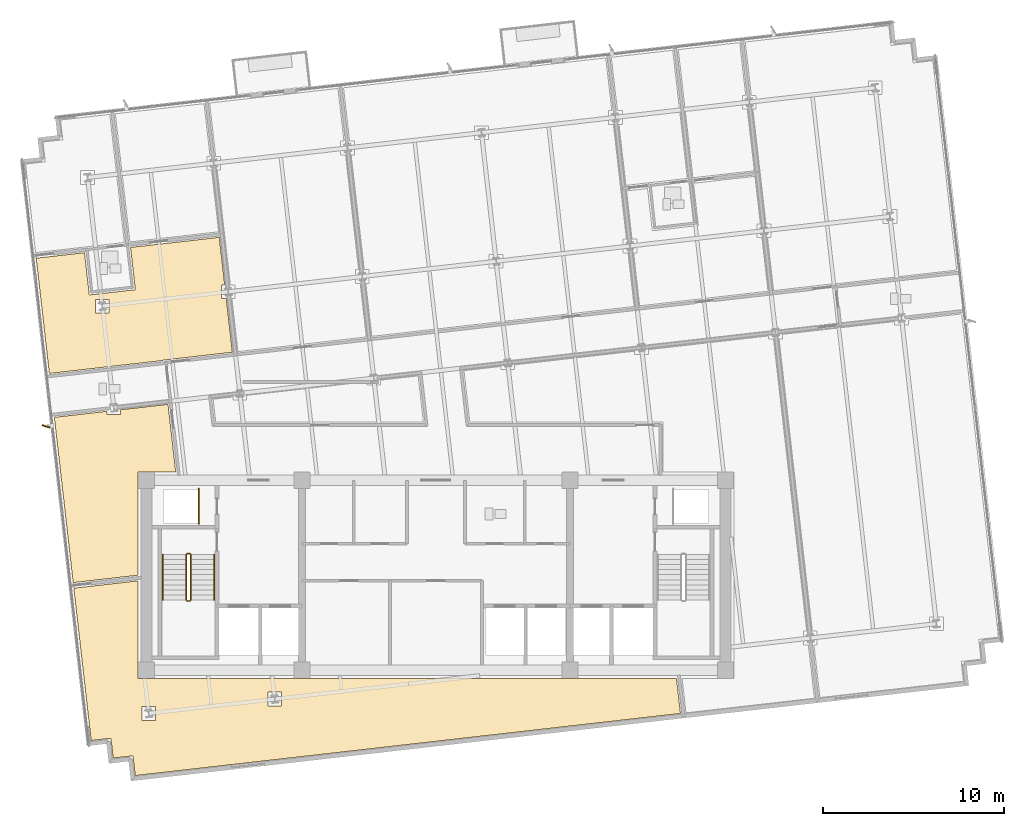
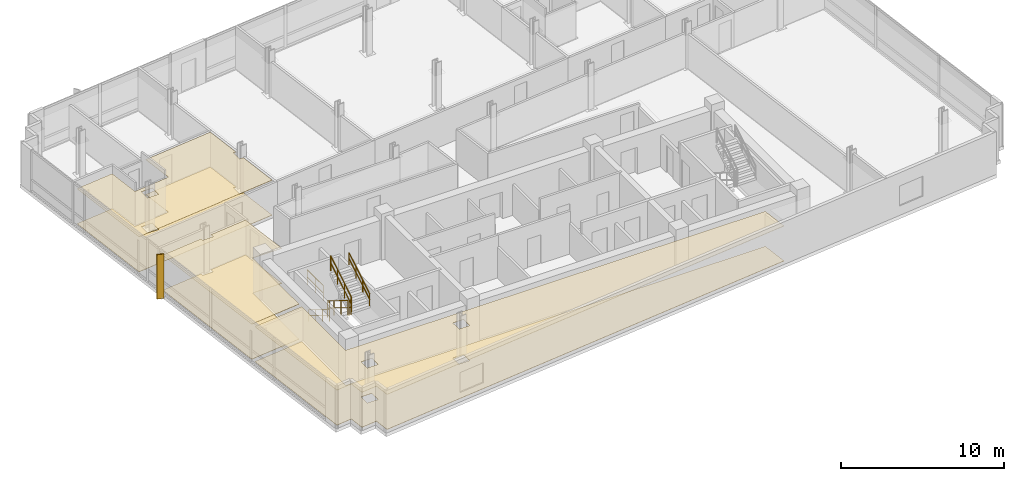
# One storey, part 12 of 15: 7 railings, 6 coverings, 1 shading device.
"""IFC4 building model written with IfcOpenShell, lengths in metres."""

from ifc_helpers import new_model, si_unit, direction, frame, origin, origin_2d, place, context, subcontext, project, spatial, polyline, rectangle, circle, outline, extrude, material, layer, layer_set, type_object, element, save


model = new_model("IFC4")

# Units and contexts
model_context = context("Model", 3, precision=1e-05, world=origin(), true_north=direction((0.0, 1.0)))
body_context = subcontext(model_context, "Body", "Model", "MODEL_VIEW")
ifc_project = project(units=[si_unit("LENGTHUNIT", "METRE"), si_unit("AREAUNIT", "SQUARE_METRE"), si_unit("VOLUMEUNIT", "CUBIC_METRE"), si_unit("PLANEANGLEUNIT", "RADIAN"), si_unit("MASSUNIT", "GRAM", prefix="KILO")], contexts=[model_context])

# Site, building, storey
site_placement = place(None, origin())
site = spatial("IfcSite", under=ifc_project, at=site_placement, CompositionType="ELEMENT")
building_placement = place(site_placement, origin())
building = spatial("IfcBuilding", under=site, at=building_placement, Name="Solmavex Isthmus Hotel", CompositionType="ELEMENT")
storey_placement = place(building_placement, frame((0.0, 0.0, 229.64990234375)))
storey = spatial("IfcBuildingStorey", under=building, at=storey_placement, Name="L62", CompositionType="ELEMENT", Elevation=229.64990234375)

# Coverings
ifc_material_1 = material(Name="Gypsum plasterboard lining", Category="gypsum")
ifc_layer_1 = layer(ifc_material_1, 0.030029296875)
ifc_layer_set_1 = layer_set([ifc_layer_1], Name="Gypsum plasterboard lining")
covering_type_1 = type_object("IfcCoveringType", Name="COV-CEIL-GYP", PredefinedType="CEILING", material=ifc_layer_set_1)
covering_1_placement = place(storey_placement, frame((0.0, 0.0, 2.6201171875)))
element("IfcCovering", 1, at=covering_1_placement, inside=storey, type_object=covering_type_1, Name="Suspended Acoustic Ceiling L62-ST01-FY", PredefinedType="CEILING", context=body_context, shape_type="SweptSolid", body=[
    extrude(outline(polyline([(-15.079833984375, 4.11669921875), (-15.08203125, 4.136474609375), (-11.2490234375, 4.5732421875), (-11.586181640625, 7.532470703125), (-11.853271484375, 7.532470703125), (-11.853271484375, 8.29248046875), (-11.672607421875, 8.29248046875), (-11.97216796875, 10.920166015625), (-16.874267578125, 10.36181640625), (-16.6083984375, 8.02685546875), (-19.15185546875, 7.737060546875), (-19.41796875, 10.072021484375), (-22.084716796875, 9.76806640625), (-21.359130859375, 3.4013671875), (-15.079833984375, 4.11669921875)]), holes=[polyline([(-18.81640625, 6.739013671875), (-18.81640625, 7.4990234375), (-18.056396484375, 7.4990234375), (-18.056396484375, 6.739013671875), (-18.81640625, 6.739013671875)])]), origin(), (0.0, 0.0, 1.0), 0.030029296875),
])
covering_2_placement = place(storey_placement, frame((0.0, 0.0, 2.6201171875)))
element("IfcCovering", 2, at=covering_2_placement, inside=storey, type_object=covering_type_1, Name="Suspended Acoustic Ceiling L62-FL09", PredefinedType="CEILING", context=body_context, shape_type="SweptSolid", body=[
    extrude(outline(polyline([(-17.4169921875, 1.39453125), (-17.4169921875, 1.12744140625), (-18.177001953125, 1.12744140625), (-18.177001953125, 1.30810546875), (-21.0830078125, 0.97705078125), (-20.494873046875, -4.1845703125), (-20.042724609375, -8.154052734375), (-16.455078125, -7.7451171875), (-16.455078125, -2.044921875), (-14.3779296875, -2.044921875), (-14.8037109375, 1.6923828125), (-17.4169921875, 1.39453125)])), origin(), (0.0, 0.0, 1.0), 0.030029296875),
])
covering_3_placement = place(storey_placement, frame((0.0, 0.0, 2.6201171875)))
element("IfcCovering", 3, at=covering_3_placement, inside=storey, type_object=covering_type_1, Name="Suspended Acoustic Ceiling L62-FL10", PredefinedType="CEILING", context=body_context, shape_type="SweptSolid", body=[
    extrude(outline(polyline([(-8.533203125, -17.8935546875), (13.50732421875, -15.382568359375), (13.470458984375, -15.0595703125), (13.28759765625, -13.455078125), (-16.455078125, -13.455078125), (-16.455078125, -8.05712890625), (-20.007568359375, -8.4619140625), (-19.14208984375, -16.057861328125), (-19.048828125, -16.87744140625), (-17.955810546875, -16.7529296875), (-17.831298828125, -17.845947265625), (-16.73828125, -17.721435546875), (-16.61376953125, -18.814453125), (-15.794189453125, -18.720947265625), (-8.533203125, -17.8935546875)]), holes=[polyline([(-9.28955078125, -14.969970703125), (-9.28955078125, -14.2099609375), (-8.529541015625, -14.2099609375), (-8.529541015625, -14.969970703125), (-9.28955078125, -14.969970703125)]), polyline([(-16.25244140625, -15.763427734375), (-16.25244140625, -15.00341796875), (-15.492431640625, -15.00341796875), (-15.492431640625, -15.763427734375), (-16.25244140625, -15.763427734375)])]), origin(), (0.0, 0.0, 1.0), 0.030029296875),
])
ifc_material_2 = material(Name="Travertine natural stone", Category="masonry")
ifc_layer_2 = layer(ifc_material_2, 0.02490234375)
ifc_layer_set_2 = layer_set([ifc_layer_2], Name="Travertine natural stone")
covering_type_2 = type_object("IfcCoveringType", Name="COV-FLOR-STN", PredefinedType="FLOORING", material=ifc_layer_set_2)
covering_4_placement = place(storey_placement, origin())
element("IfcCovering", 4, at=covering_4_placement, inside=storey, type_object=covering_type_2, Name="Stone and Timber Floor Finish L62-ST01-FY", PredefinedType="FLOORING", context=body_context, shape_type="SweptSolid", body=[
    extrude(outline(polyline([(-15.079833984375, 4.11669921875), (-15.08203125, 4.136474609375), (-11.2490234375, 4.5732421875), (-11.586181640625, 7.532470703125), (-11.853271484375, 7.532470703125), (-11.853271484375, 8.29248046875), (-11.672607421875, 8.29248046875), (-11.97216796875, 10.920166015625), (-16.874267578125, 10.36181640625), (-16.6083984375, 8.02685546875), (-19.15185546875, 7.737060546875), (-19.41796875, 10.072021484375), (-22.084716796875, 9.76806640625), (-21.359130859375, 3.4013671875), (-15.079833984375, 4.11669921875)]), holes=[polyline([(-18.81640625, 6.739013671875), (-18.81640625, 7.4990234375), (-18.056396484375, 7.4990234375), (-18.056396484375, 6.739013671875), (-18.81640625, 6.739013671875)])]), origin(), (0.0, 0.0, 1.0), 0.025146484375),
])
covering_5_placement = place(storey_placement, origin())
element("IfcCovering", 5, at=covering_5_placement, inside=storey, type_object=covering_type_2, Name="Stone and Timber Floor Finish L62-FL09", PredefinedType="FLOORING", context=body_context, shape_type="SweptSolid", body=[
    extrude(outline(polyline([(-17.4169921875, 1.39453125), (-17.4169921875, 1.12744140625), (-18.177001953125, 1.12744140625), (-18.177001953125, 1.30810546875), (-21.0830078125, 0.97705078125), (-20.494873046875, -4.1845703125), (-20.042724609375, -8.154052734375), (-16.455078125, -7.7451171875), (-16.455078125, -2.044921875), (-14.3779296875, -2.044921875), (-14.8037109375, 1.6923828125), (-17.4169921875, 1.39453125)])), origin(), (0.0, 0.0, 1.0), 0.025146484375),
])
covering_6_placement = place(storey_placement, origin())
element("IfcCovering", 6, at=covering_6_placement, inside=storey, type_object=covering_type_2, Name="Stone and Timber Floor Finish L62-FL10", PredefinedType="FLOORING", context=body_context, shape_type="SweptSolid", body=[
    extrude(outline(polyline([(-8.533203125, -17.8935546875), (13.50732421875, -15.382568359375), (13.470458984375, -15.0595703125), (13.28759765625, -13.455078125), (-16.455078125, -13.455078125), (-16.455078125, -8.05712890625), (-20.007568359375, -8.4619140625), (-19.14208984375, -16.057861328125), (-19.048828125, -16.87744140625), (-17.955810546875, -16.7529296875), (-17.831298828125, -17.845947265625), (-16.73828125, -17.721435546875), (-16.61376953125, -18.814453125), (-15.794189453125, -18.720947265625), (-8.533203125, -17.8935546875)]), holes=[polyline([(-9.28955078125, -14.969970703125), (-9.28955078125, -14.2099609375), (-8.529541015625, -14.2099609375), (-8.529541015625, -14.969970703125), (-9.28955078125, -14.969970703125)]), polyline([(-16.25244140625, -15.763427734375), (-16.25244140625, -15.00341796875), (-15.492431640625, -15.00341796875), (-15.492431640625, -15.763427734375), (-16.25244140625, -15.763427734375)])]), origin(), (0.0, 0.0, 1.0), 0.025146484375),
])

# Railings
ifc_material_3 = material(Name="Clear low-E laminated glass", Category="glass")
ifc_layer_3 = layer(ifc_material_3, 0.080078125)
ifc_layer_set_3 = layer_set([ifc_layer_3], Name="Clear low-E laminated glass")
railing_type_1 = type_object("IfcRailingType", Name="RAIL-ATRIUM-1120", PredefinedType="BALUSTRADE", material=ifc_layer_set_3)
railing_1_placement = place(storey_placement, frame((-13.10009765625, -4.89990234375, 0.0)))
element("IfcRailing", 7, at=railing_1_placement, inside=storey, type_object=railing_type_1, Name="Guardrail Balustrade L62-RSW-01", PredefinedType="BALUSTRADE", context=body_context, shape_type="SweptSolid", body=[
    extrude(circle(Radius=0.02392578125, at=origin_2d()), frame((0.0, 0.0, 1.1259765625), z_axis=(0.0, 1.0, 0.0), x_axis=(-1.0, 0.0, 0.0)), (0.0, 0.0, 1.0), 1.949951171875),
    extrude(circle(Radius=0.02392578125, at=origin_2d()), frame((0.0, 0.0, 0.574951171875), z_axis=(0.0, 1.0, 0.0), x_axis=(-1.0, 0.0, 0.0)), (0.0, 0.0, 1.0), 1.949951171875),
    extrude(circle(Radius=0.02099609375, at=origin_2d()), origin(), (0.0, 0.0, 1.0), 1.101806640625),
    extrude(circle(Radius=0.02099609375, at=origin_2d()), frame((0.0, 0.97509765625, 0.0)), (0.0, 0.0, 1.0), 1.101806640625),
    extrude(circle(Radius=0.02099609375, at=origin_2d()), frame((0.0, 1.949951171875, 0.0)), (0.0, 0.0, 1.0), 1.101806640625),
])
ifc_material_4 = material(Name="Stainless steel 316", Category="steel")
ifc_layer_4 = layer(ifc_material_4, 0.06005859375)
ifc_layer_set_4 = layer_set([ifc_layer_4], Name="Stainless steel 316")
railing_type_2 = type_object("IfcRailingType", Name="RAIL-STAIR-GD", PredefinedType="GUARDRAIL", material=ifc_layer_set_4)
railing_2_placement = place(storey_placement, frame((-13.800048828125, -6.60009765625, 0.172607421875)))
element("IfcRailing", 8, at=railing_2_placement, inside=storey, type_object=railing_type_2, Name="L62 ST-1 stair guard 1", PredefinedType="GUARDRAIL", context=body_context, shape_type="SweptSolid", body=[
    extrude(circle(Radius=0.02392578125, at=origin_2d()), frame((0.0, 0.0, 1.09619140625), z_axis=(0.0, -0.851400495292, 0.524516154772), x_axis=(1.0, 0.0, 0.0)), (0.0, 0.0, 1.0), 2.9599609375),
    extrude(circle(Radius=0.02392578125, at=origin_2d()), frame((0.0, 0.0, 0.56005859375), z_axis=(0.0, -0.851400495292, 0.524516154772), x_axis=(1.0, 0.0, 0.0)), (0.0, 0.0, 1.0), 2.9599609375),
    extrude(circle(Radius=0.02099609375, at=origin_2d()), origin(), (0.0, 0.0, 1.0), 1.072021484375),
    extrude(circle(Radius=0.02099609375, at=origin_2d()), frame((0.0, -0.840087890625, 0.517578125)), (0.0, 0.0, 1.0), 1.072021484375),
    extrude(circle(Radius=0.02099609375, at=origin_2d()), frame((0.0, -1.679931640625, 1.034912109375)), (0.0, 0.0, 1.0), 1.072021484375),
    extrude(circle(Radius=0.02099609375, at=origin_2d()), frame((0.0, -2.52001953125, 1.552490234375)), (0.0, 0.0, 1.0), 1.072021484375),
])
railing_3_placement = place(storey_placement, frame((-13.75, -9.169921875, 1.72509765625)))
element("IfcRailing", 9, at=railing_3_placement, inside=storey, type_object=railing_type_2, Name="L62 ST-1 stair guard 2", PredefinedType="GUARDRAIL", context=body_context, shape_type="SweptSolid", body=[
    extrude(circle(Radius=0.02392578125, at=origin_2d()), frame((0.0, 0.0, 1.09619140625), z_axis=(1.0, 0.0, 0.0), x_axis=(0.0, 1.0, 0.0)), (0.0, 0.0, 1.0), 0.14990234375),
    extrude(circle(Radius=0.02392578125, at=origin_2d()), frame((0.0, 0.0, 0.56005859375), z_axis=(1.0, 0.0, 0.0), x_axis=(0.0, 1.0, 0.0)), (0.0, 0.0, 1.0), 0.14990234375),
    extrude(circle(Radius=0.02099609375, at=origin_2d()), origin(), (0.0, 0.0, 1.0), 1.072021484375),
    extrude(circle(Radius=0.02099609375, at=origin_2d()), frame((0.14990234375, 0.0, 0.0)), (0.0, 0.0, 1.0), 1.072021484375),
])
railing_4_placement = place(storey_placement, frame((-13.550048828125, -9.1201171875, 1.897705078125)))
element("IfcRailing", 10, at=railing_4_placement, inside=storey, type_object=railing_type_2, Name="L62 ST-1 stair guard 3", PredefinedType="GUARDRAIL", context=body_context, shape_type="SweptSolid", body=[
    extrude(circle(Radius=0.02392578125, at=origin_2d()), frame((0.0, 0.0, 1.09619140625), z_axis=(0.0, 0.851400495292, 0.524516154772), x_axis=(-1.0, 0.0, 0.0)), (0.0, 0.0, 1.0), 2.9599609375),
    extrude(circle(Radius=0.02392578125, at=origin_2d()), frame((0.0, 0.0, 0.56005859375), z_axis=(0.0, 0.851400495292, 0.524516154772), x_axis=(-1.0, 0.0, 0.0)), (0.0, 0.0, 1.0), 2.9599609375),
    extrude(circle(Radius=0.02099609375, at=origin_2d()), origin(), (0.0, 0.0, 1.0), 1.072021484375),
    extrude(circle(Radius=0.02099609375, at=origin_2d()), frame((0.0, 0.840087890625, 0.517578125)), (0.0, 0.0, 1.0), 1.072021484375),
    extrude(circle(Radius=0.02099609375, at=origin_2d()), frame((0.0, 1.679931640625, 1.034912109375)), (0.0, 0.0, 1.0), 1.072021484375),
    extrude(circle(Radius=0.02099609375, at=origin_2d()), frame((0.0, 2.52001953125, 1.552490234375)), (0.0, 0.0, 1.0), 1.072021484375),
])
railing_5_placement = place(storey_placement, frame((-13.75, -6.550048828125, 0.0)))
element("IfcRailing", 11, at=railing_5_placement, inside=storey, type_object=railing_type_2, Name="L62 ST-1 stair guard 4", PredefinedType="GUARDRAIL", context=body_context, shape_type="SweptSolid", body=[
    extrude(circle(Radius=0.02392578125, at=origin_2d()), frame((0.0, 0.0, 1.09619140625), z_axis=(1.0, 0.0, 0.0), x_axis=(0.0, 1.0, 0.0)), (0.0, 0.0, 1.0), 0.14990234375),
    extrude(circle(Radius=0.02392578125, at=origin_2d()), frame((0.0, 0.0, 0.56005859375), z_axis=(1.0, 0.0, 0.0), x_axis=(0.0, 1.0, 0.0)), (0.0, 0.0, 1.0), 0.14990234375),
    extrude(circle(Radius=0.02099609375, at=origin_2d()), origin(), (0.0, 0.0, 1.0), 1.072021484375),
    extrude(circle(Radius=0.02099609375, at=origin_2d()), frame((0.14990234375, 0.0, 0.0)), (0.0, 0.0, 1.0), 1.072021484375),
])
ifc_layer_5 = layer(ifc_material_4, 0.050048828125)
ifc_layer_set_5 = layer_set([ifc_layer_5], Name="Stainless steel 316")
railing_type_3 = type_object("IfcRailingType", Name="RAIL-STAIR-HR", PredefinedType="HANDRAIL", material=ifc_layer_set_5)
railing_6_placement = place(storey_placement, frame((-15.10009765625, -6.60009765625, 0.172607421875)))
element("IfcRailing", 12, at=railing_6_placement, inside=storey, type_object=railing_type_3, Name="L62 ST-1 stair handrail 1", PredefinedType="HANDRAIL", context=body_context, shape_type="SweptSolid", body=[
    extrude(circle(Radius=0.02392578125, at=origin_2d()), frame((0.0, 0.0, 0.8759765625), z_axis=(0.0, -0.851400495292, 0.524516154772), x_axis=(1.0, 0.0, 0.0)), (0.0, 0.0, 1.0), 2.9599609375),
    extrude(circle(Radius=0.02392578125, at=origin_2d()), frame((0.0, 0.0, 0.449951171875), z_axis=(0.0, -0.851400495292, 0.524516154772), x_axis=(1.0, 0.0, 0.0)), (0.0, 0.0, 1.0), 2.9599609375),
    extrude(circle(Radius=0.02099609375, at=origin_2d()), origin(), (0.0, 0.0, 1.0), 0.851806640625),
    extrude(circle(Radius=0.02099609375, at=origin_2d()), frame((0.0, -0.840087890625, 0.517578125)), (0.0, 0.0, 1.0), 0.851806640625),
    extrude(circle(Radius=0.02099609375, at=origin_2d()), frame((0.0, -1.679931640625, 1.034912109375)), (0.0, 0.0, 1.0), 0.851806640625),
    extrude(circle(Radius=0.02099609375, at=origin_2d()), frame((0.0, -2.52001953125, 1.552490234375)), (0.0, 0.0, 1.0), 0.851806640625),
])
railing_7_placement = place(storey_placement, frame((-12.25, -9.1201171875, 1.897705078125)))
element("IfcRailing", 13, at=railing_7_placement, inside=storey, type_object=railing_type_3, Name="L62 ST-1 stair handrail 2", PredefinedType="HANDRAIL", context=body_context, shape_type="SweptSolid", body=[
    extrude(circle(Radius=0.02392578125, at=origin_2d()), frame((0.0, 0.0, 0.8759765625), z_axis=(0.0, 0.851400495292, 0.524516154772), x_axis=(-1.0, 0.0, 0.0)), (0.0, 0.0, 1.0), 2.9599609375),
    extrude(circle(Radius=0.02392578125, at=origin_2d()), frame((0.0, 0.0, 0.449951171875), z_axis=(0.0, 0.851400495292, 0.524516154772), x_axis=(-1.0, 0.0, 0.0)), (0.0, 0.0, 1.0), 2.9599609375),
    extrude(circle(Radius=0.02099609375, at=origin_2d()), origin(), (0.0, 0.0, 1.0), 0.851806640625),
    extrude(circle(Radius=0.02099609375, at=origin_2d()), frame((0.0, 0.840087890625, 0.517578125)), (0.0, 0.0, 1.0), 0.851806640625),
    extrude(circle(Radius=0.02099609375, at=origin_2d()), frame((0.0, 1.679931640625, 1.034912109375)), (0.0, 0.0, 1.0), 0.851806640625),
    extrude(circle(Radius=0.02099609375, at=origin_2d()), frame((0.0, 2.52001953125, 1.552490234375)), (0.0, 0.0, 1.0), 0.851806640625),
])

# Shading device
ifc_material_5 = material(Name="Aluminium alloy 6063-T6", Category="aluminium")
shading_device_type = type_object("IfcShadingDeviceType", Name="SHD-FIN-BRONZE", PredefinedType="USERDEFINED", material=ifc_material_5)
shading_device_placement = place(storey_placement, frame((-21.54443359375, 0.4765625, -0.139892578125), z_axis=(0.0, 0.0, 1.0), x_axis=(-0.953716950748, 0.300705799504, 0.0)))
element("IfcShadingDevice", 14, at=shading_device_placement, inside=storey, type_object=shading_device_type, Name="Anodised Aluminium Solar Fin L62-W1", ObjectType="SOLAR_FIN", PredefinedType="USERDEFINED", context=body_context, shape_type="SweptSolid", body=[
    extrude(rectangle(XDim=0.449951171875, YDim=0.080078125, at=origin_2d()), origin(), (0.0, 0.0, 1.0), 3.330078125),
])

save(model, "model.ifc")
